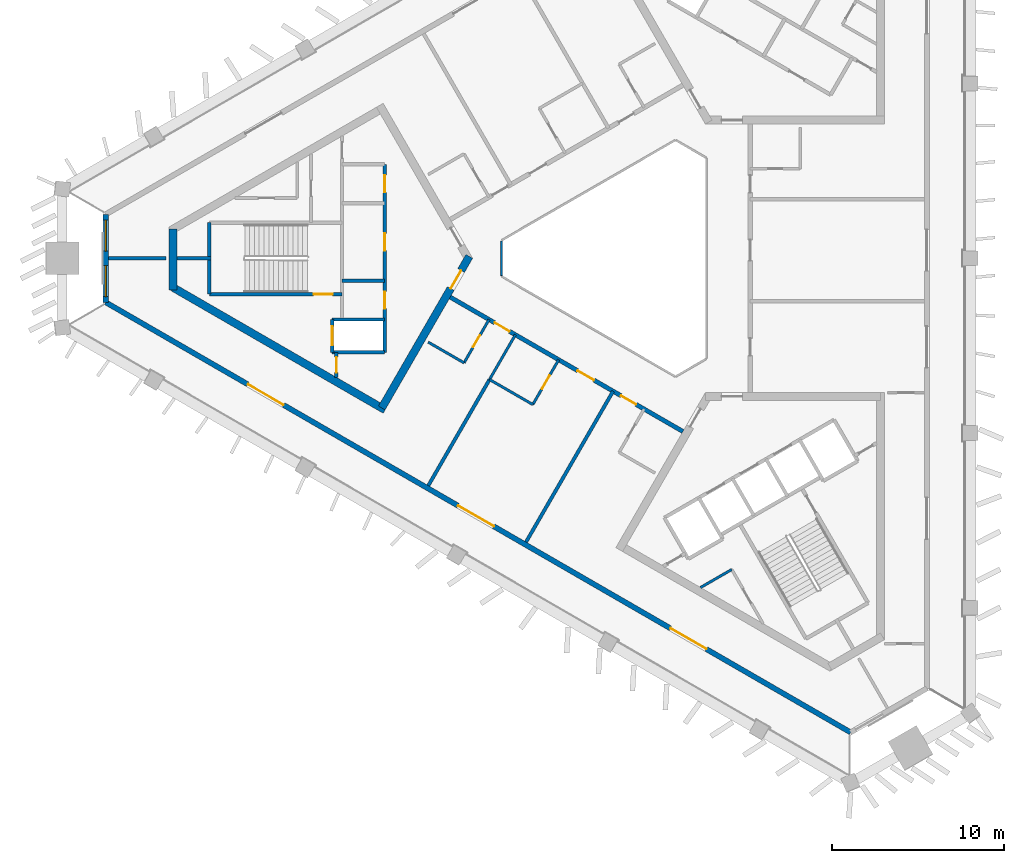
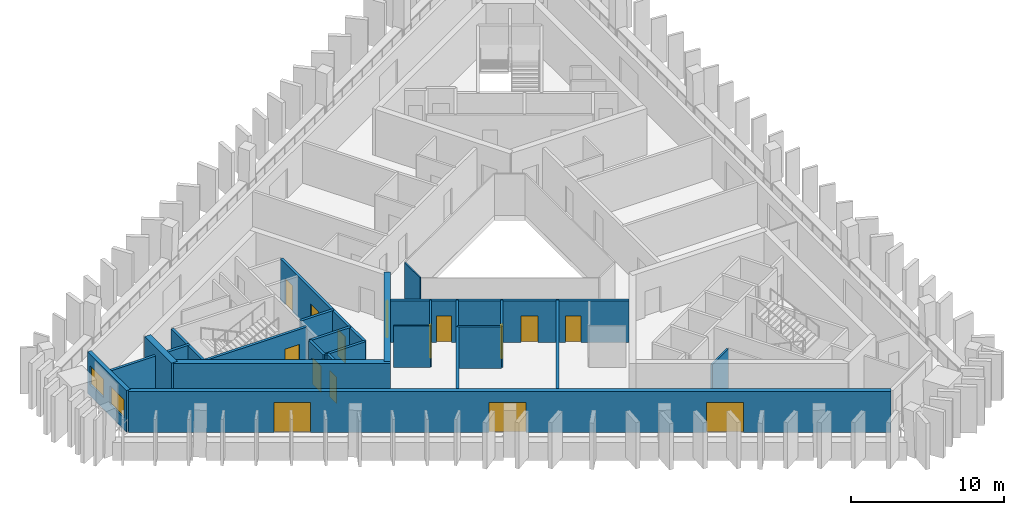
# One storey, part 2 of 9: 25 walls, 15 doors, 2 windows, 17 openings.
"""IFC4 building model written with IfcOpenShell, lengths in metres."""

from ifc_helpers import new_model, si_unit, direction, frame, frame_2d, origin, place, context, subcontext, project, spatial, rectangle, extrude, material, layer, layer_set, type_object, element, fill, save


model = new_model("IFC4")

# Units and contexts
model_context = context("Model", 3, precision=1e-05, world=origin(), true_north=direction((0.0, 1.0)))
body_context = subcontext(model_context, "Body", "Model", "MODEL_VIEW")
ifc_project = project(units=[si_unit("LENGTHUNIT", "METRE"), si_unit("AREAUNIT", "SQUARE_METRE"), si_unit("VOLUMEUNIT", "CUBIC_METRE"), si_unit("PLANEANGLEUNIT", "RADIAN"), si_unit("MASSUNIT", "GRAM", prefix="KILO")], contexts=[model_context])

# Site, building, storey
site_placement = place(None, origin())
site = spatial("IfcSite", under=ifc_project, at=site_placement, CompositionType="ELEMENT")
building_placement = place(site_placement, origin())
building = spatial("IfcBuilding", under=site, at=building_placement, Name="Jabali Bay Hotel Tower and Convention Centre", CompositionType="ELEMENT")
storey_placement = place(building_placement, frame((0.0, 0.0, 235.39990234375)))
storey = spatial("IfcBuildingStorey", under=building, at=storey_placement, Name="L58", CompositionType="ELEMENT", Elevation=235.39990234375)

# Walls
ifc_material_1 = material(Name="Fire-resistant glazing", Category="glass")
ifc_layer_1 = layer(ifc_material_1, 0.10009765625)
ifc_layer_set_1 = layer_set([ifc_layer_1], Name="Fire-resistant glazing")
wall_type_1 = type_object("IfcWallType", Name="Atrium glazed screen 100", PredefinedType="PARTITIONING", material=ifc_layer_set_1)
wall_1_placement = place(storey_placement, frame((67.672119140625, 81.0, 0.0), z_axis=(0.0, 0.0, 1.0), x_axis=(0.0, -1.0, 0.0)))
element("IfcWall", 1, at=wall_1_placement, inside=storey, type_object=wall_type_1, Name="Atrium screen 4 L58", PredefinedType="PARTITIONING", context=body_context, shape_type="SweptSolid", body=[
    extrude(rectangle(XDim=2.0, YDim=0.10009765625, at=frame_2d((1.0, 0.0))), origin(), (0.0, 0.0, 1.0), 3.300048828125),
])
ifc_material_2 = material(Name="Concrete C40", Category="concrete")
ifc_layer_2 = layer(ifc_material_2, 0.199951171875)
ifc_layer_set_2 = layer_set([ifc_layer_2], Name="Concrete C40")
wall_type_2 = type_object("IfcWallType", Name="Core partition wall 200", PredefinedType="PARTITIONING", material=ifc_layer_set_2)
wall_2_placement = place(storey_placement, frame((50.820068359375, 80.0, 0.0), z_axis=(0.0, 0.0, 1.0), x_axis=(-1.0, 0.0, 0.0)))
element("IfcWall", 2, at=wall_2_placement, inside=storey, type_object=wall_type_2, Name="Core wall 0.4 L58", PredefinedType="PARTITIONING", context=body_context, shape_type="SweptSolid", body=[
    extrude(rectangle(XDim=1.97314453125, YDim=0.199951171875, at=frame_2d((0.986572265625, 0.0))), origin(), (0.0, 0.0, 1.0), 3.300048828125),
])

# Wall, opening, door
wall_3_placement = place(storey_placement, frame((58.10009765625, 74.550048828125, 0.0), z_axis=(0.0, 0.0, 1.0), x_axis=(0.0, -1.0, 0.0)))
wall_3 = element("IfcWall", 3, at=wall_3_placement, inside=storey, type_object=wall_type_2, Name="Core wall 0.11 L58", PredefinedType="PARTITIONING", context=body_context, shape_type="SweptSolid", body=[
    extrude(rectangle(XDim=1.455078125, YDim=0.199951171875, at=frame_2d((0.7275390625, 0.0))), origin(), (0.0, 0.0, 1.0), 3.300048828125),
])
opening_1_placement = place(wall_3_placement, frame((0.277587890625, 0.0, 0.0)))
opening_1 = element("IfcOpeningElement", 4, at=opening_1_placement, cuts=wall_3, Name="Opening D1263", PredefinedType="OPENING", context=body_context, shape_type="SweptSolid", body=[
    extrude(rectangle(XDim=0.89990234375, YDim=2.10009765625, at=frame_2d((0.449951171875, 1.050048828125))), frame((0.0, 0.1103515625, 0.0), z_axis=(0.0, -1.0, 0.0), x_axis=(1.0, 0.0, 0.0)), (0.0, 0.0, 1.0), 0.220947265625),
])
ifc_material_3 = material(Name="Fire-rated steel door", Category="steel")
door_type_1 = type_object("IfcDoorType", Name="Vestibule fire door 900 x 2100", OperationType="NOTDEFINED", PredefinedType="NOTDEFINED", material=ifc_material_3)
door_1_placement = place(opening_1_placement, origin())
door_1 = element("IfcDoor", 5, at=door_1_placement, inside=storey, type_object=door_type_1, Name="Vestibule fire door D1263", OperationType="SINGLE_SWING_LEFT", OverallHeight=2.10009765625, OverallWidth=0.89990234375, PredefinedType="NOTDEFINED", context=body_context, shape_type="SweptSolid", body=[
    extrude(rectangle(XDim=0.89990234375, YDim=2.10009765625, at=frame_2d((0.449951171875, 1.050048828125))), frame((0.0, 0.02490234375, 0.0), z_axis=(0.0, -1.0, 0.0), x_axis=(1.0, 0.0, 0.0)), (0.0, 0.0, 1.0), 0.050048828125),
])
fill(opening_1, door_1)

# Walls
ifc_material_4 = material(Name="Fire-rated board partition")
ifc_layer_3 = layer(ifc_material_4, 0.14990234375)
ifc_layer_set_3 = layer_set([ifc_layer_3], Name="Fire-rated board partition")
wall_type_3 = type_object("IfcWallType", Name="Core room partition 150", PredefinedType="PARTITIONING", material=ifc_layer_set_3)
wall_4_placement = place(storey_placement, frame((79.219970703125, 60.9013671875, 0.0), z_axis=(0.0, 0.0, 1.0), x_axis=(0.866040030748, 0.499974664501, 0.0)))
element("IfcWall", 6, at=wall_4_placement, inside=storey, type_object=wall_type_3, Name="Core wall 2.16 L58", PredefinedType="PARTITIONING", context=body_context, shape_type="SweptSolid", body=[
    extrude(rectangle(XDim=2.0947265625, YDim=0.14990234375, at=frame_2d((1.04736328125, 0.0))), origin(), (0.0, 0.0, 1.0), 3.300048828125),
])
ifc_layer_4 = layer(ifc_material_2, 0.199951171875)
ifc_layer_set_4 = layer_set([ifc_layer_4], Name="Concrete C40")
wall_type_4 = type_object("IfcWallType", Name="Core stair wall 200", PredefinedType="SOLIDWALL", material=ifc_layer_set_4)
wall_5_placement = place(storey_placement, frame((60.89990234375, 78.699951171875, 0.0), z_axis=(0.0, 0.0, 1.0), x_axis=(-1.0, 0.0, 0.0)))
element("IfcWall", 7, at=wall_5_placement, inside=storey, type_object=wall_type_4, Name="Core wall 0.5 L58", PredefinedType="SOLIDWALL", context=body_context, shape_type="SweptSolid", body=[
    extrude(rectangle(XDim=2.47998046875, YDim=0.199951171875, at=frame_2d((1.239990234375, 0.0))), origin(), (0.0, 0.0, 1.0), 3.300048828125),
])

# Wall, opening, door
wall_6_placement = place(storey_placement, frame((58.419921875, 77.925048828125, 0.0), z_axis=(0.0, 0.0, 1.0), x_axis=(-1.0, 0.0, 0.0)))
wall_6 = element("IfcWall", 8, at=wall_6_placement, inside=storey, type_object=wall_type_4, Name="Core wall 0.6 L58", PredefinedType="SOLIDWALL", context=body_context, shape_type="SweptSolid", body=[
    extrude(rectangle(XDim=7.699951171875, YDim=0.199951171875, at=frame_2d((3.85009765625, 0.0))), origin(), (0.0, 0.0, 1.0), 3.300048828125),
])
opening_2_placement = place(wall_6_placement, frame((0.550048828125, 0.0, 0.0)))
opening_2 = element("IfcOpeningElement", 9, at=opening_2_placement, cuts=wall_6, Name="Opening D1265", PredefinedType="OPENING", context=body_context, shape_type="SweptSolid", body=[
    extrude(rectangle(XDim=1.10009765625, YDim=2.10009765625, at=frame_2d((0.550048828125, 1.050048828125))), frame((0.0, 0.1103515625, 0.0), z_axis=(0.0, -1.0, 0.0), x_axis=(1.0, 0.0, 0.0)), (0.0, 0.0, 1.0), 0.220947265625),
])
door_type_2 = type_object("IfcDoorType", Name="Stair fire door 1100 x 2100", OperationType="NOTDEFINED", PredefinedType="NOTDEFINED", material=ifc_material_3)
door_2_placement = place(opening_2_placement, origin())
door_2 = element("IfcDoor", 10, at=door_2_placement, inside=storey, type_object=door_type_2, Name="Stair fire door D1265", OperationType="SINGLE_SWING_RIGHT", OverallHeight=2.10009765625, OverallWidth=1.10009765625, PredefinedType="NOTDEFINED", context=body_context, shape_type="SweptSolid", body=[
    extrude(rectangle(XDim=1.10009765625, YDim=2.10009765625, at=frame_2d((0.550048828125, 1.050048828125))), frame((0.0, 0.02490234375, 0.0), z_axis=(0.0, -1.0, 0.0), x_axis=(1.0, 0.0, 0.0)), (0.0, 0.0, 1.0), 0.050048828125),
])
fill(opening_2, door_2)

# Walls
for number, where, z_axis, x_axis, name in (
    (11, (60.89990234375, 76.449951171875, 0.0), (0.0, 0.0, 1.0), (-1.0, 0.0, 0.0), "Core wall 0.7 L58"),
    (12, (60.89990234375, 74.550048828125, 0.0), (0.0, 0.0, 1.0), (-1.0, 0.0, 0.0), "Core wall 0.8 L58"),
):
    element("IfcWall", number, at=place(storey_placement, frame(where, z_axis=z_axis, x_axis=x_axis)), inside=storey, type_object=wall_type_4, Name=name, PredefinedType="SOLIDWALL", context=body_context, shape_type="SweptSolid", body=[
        extrude(rectangle(XDim=3.0498046875, YDim=0.199951171875, at=frame_2d((1.52490234375, 0.0))), origin(), (0.0, 0.0, 1.0), 3.300048828125),
    ])

# Wall, openings, doors
wall_7_placement = place(storey_placement, frame((60.89990234375, 85.449951171875, 0.0), z_axis=(0.0, 0.0, 1.0), x_axis=(0.0, -1.0, 0.0)))
wall_7 = element("IfcWall", 13, at=wall_7_placement, inside=storey, type_object=wall_type_4, Name="Core wall 0.9 L58", PredefinedType="SOLIDWALL", context=body_context, shape_type="SweptSolid", body=[
    extrude(rectangle(XDim=10.89990234375, YDim=0.199951171875, at=frame_2d((5.449951171875, 0.0))), origin(), (0.0, 0.0, 1.0), 3.300048828125),
])
opening_3_placement = place(wall_7_placement, frame((0.625, 0.0, 0.0)))
opening_3 = element("IfcOpeningElement", 14, at=opening_3_placement, cuts=wall_7, Name="Opening D1259", PredefinedType="OPENING", context=body_context, shape_type="SweptSolid", body=[
    extrude(rectangle(XDim=1.0, YDim=2.10009765625, at=frame_2d((0.5, 1.050048828125))), frame((0.0, 0.1103515625, 0.0), z_axis=(0.0, -1.0, 0.0), x_axis=(1.0, 0.0, 0.0)), (0.0, 0.0, 1.0), 0.220947265625),
])
opening_4_placement = place(wall_7_placement, frame((4.0, 0.0, 0.0)))
opening_4 = element("IfcOpeningElement", 15, at=opening_4_placement, cuts=wall_7, Name="Opening D1260", PredefinedType="OPENING", context=body_context, shape_type="SweptSolid", body=[
    extrude(rectangle(XDim=1.0, YDim=2.10009765625, at=frame_2d((0.5, 1.050048828125))), frame((0.0, 0.1103515625, 0.0), z_axis=(0.0, -1.0, 0.0), x_axis=(1.0, 0.0, 0.0)), (0.0, 0.0, 1.0), 0.220947265625),
])
opening_5_placement = place(wall_7_placement, frame((7.375, 0.0, 0.0)))
opening_5 = element("IfcOpeningElement", 16, at=opening_5_placement, cuts=wall_7, Name="Opening D1261", PredefinedType="OPENING", context=body_context, shape_type="SweptSolid", body=[
    extrude(rectangle(XDim=1.0, YDim=2.10009765625, at=frame_2d((0.5, 1.050048828125))), frame((0.0, 0.1103515625, 0.0), z_axis=(0.0, -1.0, 0.0), x_axis=(1.0, 0.0, 0.0)), (0.0, 0.0, 1.0), 0.220947265625),
])
door_type_3 = type_object("IfcDoorType", Name="Core room door 1000 x 2100", OperationType="NOTDEFINED", PredefinedType="NOTDEFINED", material=ifc_material_3)
door_3_placement = place(opening_3_placement, origin())
door_3 = element("IfcDoor", 17, at=door_3_placement, inside=storey, type_object=door_type_3, Name="Core room door D1259", OperationType="SINGLE_SWING_RIGHT", OverallHeight=2.10009765625, OverallWidth=1.0, PredefinedType="NOTDEFINED", context=body_context, shape_type="SweptSolid", body=[
    extrude(rectangle(XDim=1.0, YDim=2.10009765625, at=frame_2d((0.5, 1.050048828125))), frame((0.0, 0.02490234375, 0.0), z_axis=(0.0, -1.0, 0.0), x_axis=(1.0, 0.0, 0.0)), (0.0, 0.0, 1.0), 0.050048828125),
])
fill(opening_3, door_3)
door_4_placement = place(opening_4_placement, origin())
door_4 = element("IfcDoor", 18, at=door_4_placement, inside=storey, type_object=door_type_3, Name="Core room door D1260", OperationType="SINGLE_SWING_RIGHT", OverallHeight=2.10009765625, OverallWidth=1.0, PredefinedType="NOTDEFINED", context=body_context, shape_type="SweptSolid", body=[
    extrude(rectangle(XDim=1.0, YDim=2.10009765625, at=frame_2d((0.5, 1.050048828125))), frame((0.0, 0.02490234375, 0.0), z_axis=(0.0, -1.0, 0.0), x_axis=(1.0, 0.0, 0.0)), (0.0, 0.0, 1.0), 0.050048828125),
])
fill(opening_4, door_4)
door_5_placement = place(opening_5_placement, origin())
door_5 = element("IfcDoor", 19, at=door_5_placement, inside=storey, type_object=door_type_3, Name="Core room door D1261", OperationType="SINGLE_SWING_RIGHT", OverallHeight=2.10009765625, OverallWidth=1.0, PredefinedType="NOTDEFINED", context=body_context, shape_type="SweptSolid", body=[
    extrude(rectangle(XDim=1.0, YDim=2.10009765625, at=frame_2d((0.5, 1.050048828125))), frame((0.0, 0.02490234375, 0.0), z_axis=(0.0, -1.0, 0.0), x_axis=(1.0, 0.0, 0.0)), (0.0, 0.0, 1.0), 0.050048828125),
])
fill(opening_5, door_5)

# Wall, opening, door
wall_8_placement = place(storey_placement, frame((57.85009765625, 76.449951171875, 0.0), z_axis=(0.0, 0.0, 1.0), x_axis=(0.0, -1.0, 0.0)))
wall_8 = element("IfcWall", 20, at=wall_8_placement, inside=storey, type_object=wall_type_4, Name="Core wall 0.12 L58", PredefinedType="SOLIDWALL", context=body_context, shape_type="SweptSolid", body=[
    extrude(rectangle(XDim=1.89990234375, YDim=0.199951171875, at=frame_2d((0.949951171875, 0.0))), origin(), (0.0, 0.0, 1.0), 3.300048828125),
])
opening_6_placement = place(wall_8_placement, frame((0.39990234375, 0.0, 0.0)))
opening_6 = element("IfcOpeningElement", 21, at=opening_6_placement, cuts=wall_8, Name="Opening LD5-L58", PredefinedType="OPENING", context=body_context, shape_type="SweptSolid", body=[
    extrude(rectangle(XDim=1.10009765625, YDim=2.10009765625, at=frame_2d((0.550048828125, 1.050048828125))), frame((0.0, 0.1103515625, 0.0), z_axis=(0.0, -1.0, 0.0), x_axis=(1.0, 0.0, 0.0)), (0.0, 0.0, 1.0), 0.220947265625),
])
ifc_material_5 = material(Name="Stainless steel landing door", Category="steel")
door_type_4 = type_object("IfcDoorType", Name="Landing door 1100 x 2100", OperationType="NOTDEFINED", PredefinedType="NOTDEFINED", material=ifc_material_5)
door_6_placement = place(opening_6_placement, origin())
door_6 = element("IfcDoor", 22, at=door_6_placement, inside=storey, type_object=door_type_4, Name="Landing doors LD5-L58", OperationType="SLIDING_TO_RIGHT", OverallHeight=2.10009765625, OverallWidth=1.10009765625, PredefinedType="NOTDEFINED", context=body_context, shape_type="SweptSolid", body=[
    extrude(rectangle(XDim=1.10009765625, YDim=2.10009765625, at=frame_2d((0.550048828125, 1.050048828125))), frame((0.0, 0.02490234375, 0.0), z_axis=(0.0, -1.0, 0.0), x_axis=(1.0, 0.0, 0.0)), (0.0, 0.0, 1.0), 0.050048828125),
])
fill(opening_6, door_6)

# Walls
wall_9_placement = place(storey_placement, frame((50.719970703125, 82.074951171875, 0.0), z_axis=(0.0, 0.0, 1.0), x_axis=(0.0, -1.0, 0.0)))
element("IfcWall", 23, at=wall_9_placement, inside=storey, type_object=wall_type_4, Name="Core wall 0.15 L58", PredefinedType="SOLIDWALL", context=body_context, shape_type="SweptSolid", body=[
    extrude(rectangle(XDim=4.14990234375, YDim=0.199951171875, at=frame_2d((2.074951171875, 0.0))), origin(), (0.0, 0.0, 1.0), 3.300048828125),
])
ifc_material_6 = material(Name="Concrete C60", Category="concrete")
ifc_layer_5 = layer(ifc_material_6, 0.449951171875)
ifc_layer_set_5 = layer_set([ifc_layer_5], Name="Concrete C60")
wall_type_5 = type_object("IfcWallType", Name="Core wall 450", PredefinedType="SHEAR", material=ifc_layer_set_5)
wall_10_placement = place(storey_placement, frame((48.621826171875, 81.692626953125, 0.0), z_axis=(0.0, 0.0, 1.0), x_axis=(0.0, -1.0, 0.0)))
element("IfcWall", 24, at=wall_10_placement, inside=storey, type_object=wall_type_5, Name="Core wall 1.3 L58", PredefinedType="SHEAR", context=body_context, shape_type="SweptSolid", body=[
    extrude(rectangle(XDim=3.515380859375, YDim=0.449951171875, at=frame_2d((1.7578125, 0.0))), origin(), (0.0, 0.0, 1.0), 3.7001953125),
])
wall_11_placement = place(storey_placement, frame((48.621826171875, 78.307373046875, 0.0), z_axis=(0.0, 0.0, 1.0), x_axis=(0.86602701116, -0.499997215934, 0.0)))
element("IfcWall", 25, at=wall_11_placement, inside=storey, type_object=wall_type_5, Name="Core wall 1.4 L58", PredefinedType="SHEAR", context=body_context, shape_type="SweptSolid", body=[
    extrude(rectangle(XDim=14.20361328125, YDim=0.449951171875, at=frame_2d((7.101806640625, 0.0))), origin(), (0.0, 0.0, 1.0), 3.7001953125),
])

# Wall, opening, door
wall_12_placement = place(storey_placement, frame((60.7275390625, 71.318115234375, 0.0), z_axis=(0.0, 0.0, 1.0), x_axis=(0.500012416173, 0.866018235185, 0.0)))
wall_12 = element("IfcWall", 26, at=wall_12_placement, inside=storey, type_object=wall_type_5, Name="Core wall 1.5 L58", PredefinedType="SHEAR", context=body_context, shape_type="SweptSolid", body=[
    extrude(rectangle(XDim=10.155029296875, YDim=0.449951171875, at=frame_2d((5.07763671875, 0.0))), origin(), (0.0, 0.0, 1.0), 3.7001953125),
])
opening_7_placement = place(wall_12_placement, frame((8.0048828125, 0.0, 0.0)))
opening_7 = element("IfcOpeningElement", 27, at=opening_7_placement, cuts=wall_12, Name="Opening D1258", PredefinedType="OPENING", context=body_context, shape_type="SweptSolid", body=[
    extrude(rectangle(XDim=1.199951171875, YDim=2.10009765625, at=frame_2d((0.60009765625, 1.050048828125))), frame((0.0, 0.2353515625, 0.0), z_axis=(0.0, -1.0, 0.0), x_axis=(1.0, 0.0, 0.0)), (0.0, 0.0, 1.0), 0.470947265625),
])
door_type_5 = type_object("IfcDoorType", Name="Corridor end fire door 1200 x 2100", OperationType="NOTDEFINED", PredefinedType="NOTDEFINED", material=ifc_material_3)
door_7_placement = place(opening_7_placement, origin())
door_7 = element("IfcDoor", 28, at=door_7_placement, inside=storey, type_object=door_type_5, Name="Corridor end fire door D1258", OperationType="SINGLE_SWING_LEFT", OverallHeight=2.10009765625, OverallWidth=1.199951171875, PredefinedType="NOTDEFINED", context=body_context, shape_type="SweptSolid", body=[
    extrude(rectangle(XDim=1.199951171875, YDim=2.10009765625, at=frame_2d((0.60009765625, 1.050048828125))), frame((0.0, 0.02490234375, 0.0), z_axis=(0.0, -1.0, 0.0), x_axis=(1.0, 0.0, 0.0)), (0.0, 0.0, 1.0), 0.050048828125),
])
fill(opening_7, door_7)

# Wall, openings, doors
ifc_layer_6 = layer(ifc_material_6, 0.25)
ifc_layer_set_6 = layer_set([ifc_layer_6], Name="Concrete C60")
wall_type_6 = type_object("IfcWallType", Name="Corridor wall 250", PredefinedType="SHEAR", material=ifc_layer_set_6)
wall_13_placement = place(storey_placement, frame((64.699951171875, 77.748291015625, 0.0), z_axis=(0.0, 0.0, 1.0), x_axis=(0.866026492143, -0.499998114903, 0.0)))
wall_13 = element("IfcWall", 29, at=wall_13_placement, inside=storey, type_object=wall_type_6, Name="Corridor wall 3 L58", PredefinedType="SHEAR", context=body_context, shape_type="SweptSolid", body=[
    extrude(rectangle(XDim=15.58837890625, YDim=0.25, at=frame_2d((7.794189453125, 0.0))), origin(), (0.0, 0.0, 1.0), 3.300048828125),
])
opening_8_placement = place(wall_13_placement, frame((2.982421875, 0.0, 0.0)))
opening_8 = element("IfcOpeningElement", 30, at=opening_8_placement, cuts=wall_13, Name="Opening 5814", PredefinedType="OPENING", context=body_context, shape_type="SweptSolid", body=[
    extrude(rectangle(XDim=1.0, YDim=2.10009765625, at=frame_2d((0.5, 1.050048828125))), frame((0.0, 0.135498046875, 0.0), z_axis=(0.0, -1.0, 0.0), x_axis=(1.0, 0.0, 0.0)), (0.0, 0.0, 1.0), 0.27099609375),
])
opening_9_placement = place(wall_13_placement, frame((8.538330078125, 0.0, 0.0)))
opening_9 = element("IfcOpeningElement", 31, at=opening_9_placement, cuts=wall_13, Name="Opening 5816", PredefinedType="OPENING", context=body_context, shape_type="SweptSolid", body=[
    extrude(rectangle(XDim=1.10009765625, YDim=2.10009765625, at=frame_2d((0.550048828125, 1.050048828125))), frame((0.0, 0.135498046875, 0.0), z_axis=(0.0, -1.0, 0.0), x_axis=(1.0, 0.0, 0.0)), (0.0, 0.0, 1.0), 0.27099609375),
])
opening_10_placement = place(wall_13_placement, frame((11.4501953125, 0.0, 0.0)))
opening_10 = element("IfcOpeningElement", 32, at=opening_10_placement, cuts=wall_13, Name="Opening 5818", PredefinedType="OPENING", context=body_context, shape_type="SweptSolid", body=[
    extrude(rectangle(XDim=1.0, YDim=2.10009765625, at=frame_2d((0.5, 1.050048828125))), frame((0.0, 0.135498046875, 0.0), z_axis=(0.0, -1.0, 0.0), x_axis=(1.0, 0.0, 0.0)), (0.0, 0.0, 1.0), 0.27099609375),
])
ifc_material_7 = material(Name="Timber", Category="wood")
door_type_6 = type_object("IfcDoorType", Name="Accessible guest room door 1100 x 2100", OperationType="NOTDEFINED", PredefinedType="NOTDEFINED", material=ifc_material_7)
door_8_placement = place(opening_9_placement, origin())
door_8 = element("IfcDoor", 33, at=door_8_placement, inside=storey, type_object=door_type_6, Name="Door 5816", OperationType="SINGLE_SWING_RIGHT", OverallHeight=2.10009765625, OverallWidth=1.10009765625, PredefinedType="NOTDEFINED", context=body_context, shape_type="SweptSolid", body=[
    extrude(rectangle(XDim=1.10009765625, YDim=2.10009765625, at=frame_2d((0.550048828125, 1.050048828125))), frame((0.0, 0.02490234375, 0.0), z_axis=(0.0, -1.0, 0.0), x_axis=(1.0, 0.0, 0.0)), (0.0, 0.0, 1.0), 0.050048828125),
])
fill(opening_9, door_8)
door_type_7 = type_object("IfcDoorType", Name="Guest room door 1000 x 2100", OperationType="NOTDEFINED", PredefinedType="NOTDEFINED", material=ifc_material_7)
door_9_placement = place(opening_8_placement, origin())
door_9 = element("IfcDoor", 34, at=door_9_placement, inside=storey, type_object=door_type_7, Name="Door 5814", OperationType="SINGLE_SWING_LEFT", OverallHeight=2.10009765625, OverallWidth=1.0, PredefinedType="NOTDEFINED", context=body_context, shape_type="SweptSolid", body=[
    extrude(rectangle(XDim=1.0, YDim=2.10009765625, at=frame_2d((0.5, 1.050048828125))), frame((0.0, 0.02490234375, 0.0), z_axis=(0.0, -1.0, 0.0), x_axis=(1.0, 0.0, 0.0)), (0.0, 0.0, 1.0), 0.050048828125),
])
fill(opening_8, door_9)
door_10_placement = place(opening_10_placement, origin())
door_10 = element("IfcDoor", 35, at=door_10_placement, inside=storey, type_object=door_type_7, Name="Door 5818", OperationType="SINGLE_SWING_RIGHT", OverallHeight=2.10009765625, OverallWidth=1.0, PredefinedType="NOTDEFINED", context=body_context, shape_type="SweptSolid", body=[
    extrude(rectangle(XDim=1.0, YDim=2.10009765625, at=frame_2d((0.5, 1.050048828125))), frame((0.0, 0.02490234375, 0.0), z_axis=(0.0, -1.0, 0.0), x_axis=(1.0, 0.0, 0.0)), (0.0, 0.0, 1.0), 0.050048828125),
])
fill(opening_10, door_10)

# Wall, openings, windows
ifc_layer_7 = layer(ifc_material_2, 0.300048828125)
ifc_layer_set_7 = layer_set([ifc_layer_7], Name="Concrete C40")
wall_type_7 = type_object("IfcWallType", Name="External wall 300", PredefinedType="SOLIDWALL", material=ifc_layer_set_7)
wall_14_placement = place(storey_placement, frame((44.714599609375, 77.447509765625, 0.0), z_axis=(0.0, 0.0, 1.0), x_axis=(0.0, 1.0, 0.0)))
wall_14 = element("IfcWall", 36, at=wall_14_placement, inside=storey, type_object=wall_type_7, Name="External wall west chamfer L58", PredefinedType="SOLIDWALL", context=body_context, shape_type="SweptSolid", body=[
    extrude(rectangle(XDim=5.10498046875, YDim=0.300048828125, at=frame_2d((2.552490234375, 0.0))), origin(), (0.0, 0.0, 1.0), 3.300048828125),
])
opening_11_placement = place(wall_14_placement, frame((2.9716796875, 0.0, 0.89990234375)))
opening_11 = element("IfcOpeningElement", 37, at=opening_11_placement, cuts=wall_14, Name="Opening W1", PredefinedType="OPENING", context=body_context, shape_type="SweptSolid", body=[
    extrude(rectangle(XDim=1.800048828125, YDim=1.5, at=frame_2d((0.89990234375, 0.75))), frame((0.0, 0.16064453125, 0.0), z_axis=(0.0, -1.0, 0.0), x_axis=(1.0, 0.0, 0.0)), (0.0, 0.0, 1.0), 0.321044921875),
])
opening_12_placement = place(wall_14_placement, frame((0.33349609375, 0.0, 0.89990234375)))
opening_12 = element("IfcOpeningElement", 38, at=opening_12_placement, cuts=wall_14, Name="Opening W1", PredefinedType="OPENING", context=body_context, shape_type="SweptSolid", body=[
    extrude(rectangle(XDim=1.800048828125, YDim=1.5, at=frame_2d((0.89990234375, 0.75))), frame((0.0, 0.16064453125, 0.0), z_axis=(0.0, -1.0, 0.0), x_axis=(1.0, 0.0, 0.0)), (0.0, 0.0, 1.0), 0.321044921875),
])
ifc_material_8 = material(Name="Glass", Category="glass")
window_type = type_object("IfcWindowType", Name="Window 1800 x 1500", PartitioningType="SINGLE_PANEL", PredefinedType="WINDOW", material=ifc_material_8)
window_1_placement = place(opening_11_placement, origin())
window_1 = element("IfcWindow", 39, at=window_1_placement, inside=storey, type_object=window_type, Name="Window 5805", OverallHeight=1.5, OverallWidth=1.800048828125, PartitioningType="SINGLE_PANEL", PredefinedType="WINDOW", context=body_context, shape_type="SweptSolid", body=[
    extrude(rectangle(XDim=1.800048828125, YDim=1.5, at=frame_2d((0.89990234375, 0.75))), frame((0.0, 0.030029296875, 0.0), z_axis=(0.0, -1.0, 0.0), x_axis=(1.0, 0.0, 0.0)), (0.0, 0.0, 1.0), 0.06005859375),
])
fill(opening_11, window_1)
window_2_placement = place(opening_12_placement, origin())
window_2 = element("IfcWindow", 40, at=window_2_placement, inside=storey, type_object=window_type, Name="Window 5806", OverallHeight=1.5, OverallWidth=1.800048828125, PartitioningType="SINGLE_PANEL", PredefinedType="WINDOW", context=body_context, shape_type="SweptSolid", body=[
    extrude(rectangle(XDim=1.800048828125, YDim=1.5, at=frame_2d((0.89990234375, 0.75))), frame((0.0, 0.030029296875, 0.0), z_axis=(0.0, -1.0, 0.0), x_axis=(1.0, 0.0, 0.0)), (0.0, 0.0, 1.0), 0.06005859375),
])
fill(opening_12, window_2)

# Wall, openings, doors
wall_15_placement = place(storey_placement, frame((87.93212890625, 52.495849609375, 0.0), z_axis=(0.0, 0.0, 1.0), x_axis=(-0.866025334516, 0.500000119977, 0.0)))
wall_15 = element("IfcWall", 41, at=wall_15_placement, inside=storey, type_object=wall_type_7, Name="External wall south-west face L58", PredefinedType="SOLIDWALL", context=body_context, shape_type="SweptSolid", body=[
    extrude(rectangle(XDim=49.9033203125, YDim=0.300048828125, at=frame_2d((24.95166015625, 0.0))), origin(), (0.0, 0.0, 1.0), 3.300048828125),
])
opening_13_placement = place(wall_15_placement, frame((23.907470703125, 0.0, 0.0)))
opening_13 = element("IfcOpeningElement", 42, at=opening_13_placement, cuts=wall_15, Name="Opening SD1", PredefinedType="OPENING", context=body_context, shape_type="SweptSolid", body=[
    extrude(rectangle(XDim=2.39990234375, YDim=2.39990234375, at=frame_2d((1.199951171875, 1.199951171875))), frame((0.0, 0.16064453125, 0.0), z_axis=(0.0, -1.0, 0.0), x_axis=(1.0, 0.0, 0.0)), (0.0, 0.0, 1.0), 0.321044921875),
])
opening_14_placement = place(wall_15_placement, frame((37.9853515625, 0.0, 0.0)))
opening_14 = element("IfcOpeningElement", 43, at=opening_14_placement, cuts=wall_15, Name="Opening SD1", PredefinedType="OPENING", context=body_context, shape_type="SweptSolid", body=[
    extrude(rectangle(XDim=2.39990234375, YDim=2.39990234375, at=frame_2d((1.199951171875, 1.199951171875))), frame((0.0, 0.16064453125, 0.0), z_axis=(0.0, -1.0, 0.0), x_axis=(1.0, 0.0, 0.0)), (0.0, 0.0, 1.0), 0.321044921875),
])
opening_15_placement = place(wall_15_placement, frame((9.673583984375, 0.0, 0.0)))
opening_15 = element("IfcOpeningElement", 44, at=opening_15_placement, cuts=wall_15, Name="Opening SD1", PredefinedType="OPENING", context=body_context, shape_type="SweptSolid", body=[
    extrude(rectangle(XDim=2.39990234375, YDim=2.39990234375, at=frame_2d((1.199951171875, 1.199951171875))), frame((0.0, 0.16064453125, 0.0), z_axis=(0.0, -1.0, 0.0), x_axis=(1.0, 0.0, 0.0)), (0.0, 0.0, 1.0), 0.321044921875),
])
door_type_8 = type_object("IfcDoorType", Name="Loggia sliding door 2400 x 2400", OperationType="NOTDEFINED", PredefinedType="NOTDEFINED", material=ifc_material_8)
door_11_placement = place(opening_13_placement, origin())
door_11 = element("IfcDoor", 45, at=door_11_placement, inside=storey, type_object=door_type_8, Name="Loggia sliding door 5807", OperationType="SLIDING_TO_LEFT", OverallHeight=2.39990234375, OverallWidth=2.39990234375, PredefinedType="NOTDEFINED", context=body_context, shape_type="SweptSolid", body=[
    extrude(rectangle(XDim=2.39990234375, YDim=2.39990234375, at=frame_2d((1.199951171875, 1.199951171875))), frame((0.0, 0.02490234375, 0.0), z_axis=(0.0, -1.0, 0.0), x_axis=(1.0, 0.0, 0.0)), (0.0, 0.0, 1.0), 0.050048828125),
])
fill(opening_13, door_11)
door_12_placement = place(opening_14_placement, origin())
door_12 = element("IfcDoor", 46, at=door_12_placement, inside=storey, type_object=door_type_8, Name="Loggia sliding door 5806", OperationType="SLIDING_TO_RIGHT", OverallHeight=2.39990234375, OverallWidth=2.39990234375, PredefinedType="NOTDEFINED", context=body_context, shape_type="SweptSolid", body=[
    extrude(rectangle(XDim=2.39990234375, YDim=2.39990234375, at=frame_2d((1.199951171875, 1.199951171875))), frame((0.0, 0.02490234375, 0.0), z_axis=(0.0, -1.0, 0.0), x_axis=(1.0, 0.0, 0.0)), (0.0, 0.0, 1.0), 0.050048828125),
])
fill(opening_14, door_12)
door_13_placement = place(opening_15_placement, origin())
door_13 = element("IfcDoor", 47, at=door_13_placement, inside=storey, type_object=door_type_8, Name="Loggia sliding door 5808", OperationType="SLIDING_TO_LEFT", OverallHeight=2.39990234375, OverallWidth=2.39990234375, PredefinedType="NOTDEFINED", context=body_context, shape_type="SweptSolid", body=[
    extrude(rectangle(XDim=2.39990234375, YDim=2.39990234375, at=frame_2d((1.199951171875, 1.199951171875))), frame((0.0, 0.02490234375, 0.0), z_axis=(0.0, -1.0, 0.0), x_axis=(1.0, 0.0, 0.0)), (0.0, 0.0, 1.0), 0.050048828125),
])
fill(opening_15, door_13)

# Wall, opening, door
ifc_material_9 = material(Name="Plasterboard on steel stud", Category="steel")
ifc_layer_8 = layer(ifc_material_9, 0.14990234375)
ifc_layer_set_8 = layer_set([ifc_layer_8], Name="Plasterboard on steel stud")
wall_type_8 = type_object("IfcWallType", Name="Partition 150 wet", PredefinedType="PARTITIONING", material=ifc_layer_set_8)
wall_16_placement = place(storey_placement, frame((66.95166015625, 76.4482421875, 0.0), z_axis=(0.0, 0.0, 1.0), x_axis=(-0.499987231761, -0.866032775405, 0.0)))
wall_16 = element("IfcWall", 48, at=wall_16_placement, inside=storey, type_object=wall_type_8, Name="Partition P03 L58 018", PredefinedType="PARTITIONING", context=body_context, shape_type="SweptSolid", body=[
    extrude(rectangle(XDim=2.89990234375, YDim=0.14990234375, at=frame_2d((1.449951171875, 0.0))), origin(), (0.0, 0.0, 1.0), 3.300048828125),
])
opening_16_placement = place(wall_16_placement, frame((1.050048828125, 0.0, 0.0)))
opening_16 = element("IfcOpeningElement", 49, at=opening_16_placement, cuts=wall_16, Name="Opening 5813", PredefinedType="OPENING", context=body_context, shape_type="SweptSolid", body=[
    extrude(rectangle(XDim=0.800048828125, YDim=2.10009765625, at=frame_2d((0.39990234375, 1.050048828125))), frame((0.0, 0.08544921875, 0.0), z_axis=(0.0, -1.0, 0.0), x_axis=(1.0, 0.0, 0.0)), (0.0, 0.0, 1.0), 0.1708984375),
])
door_type_9 = type_object("IfcDoorType", Name="En-suite door 800 x 2100", OperationType="NOTDEFINED", PredefinedType="NOTDEFINED", material=ifc_material_7)
door_14_placement = place(opening_16_placement, origin())
door_14 = element("IfcDoor", 50, at=door_14_placement, inside=storey, type_object=door_type_9, Name="Door 5813", OperationType="SINGLE_SWING_RIGHT", OverallHeight=2.10009765625, OverallWidth=0.800048828125, PredefinedType="NOTDEFINED", context=body_context, shape_type="SweptSolid", body=[
    extrude(rectangle(XDim=0.800048828125, YDim=2.10009765625, at=frame_2d((0.39990234375, 1.050048828125))), frame((0.0, 0.02490234375, 0.0), z_axis=(0.0, -1.0, 0.0), x_axis=(1.0, 0.0, 0.0)), (0.0, 0.0, 1.0), 0.050048828125),
])
fill(opening_16, door_14)

# Walls
wall_17_placement = place(storey_placement, frame((65.501708984375, 73.936767578125, 0.0), z_axis=(0.0, 0.0, 1.0), x_axis=(-0.865994240961, 0.500053971709, 0.0)))
element("IfcWall", 51, at=wall_17_placement, inside=storey, type_object=wall_type_8, Name="Partition P03 L58 019", PredefinedType="PARTITIONING", context=body_context, shape_type="SweptSolid", body=[
    extrude(rectangle(XDim=2.401123046875, YDim=0.14990234375, at=frame_2d((1.20068359375, 0.0))), origin(), (0.0, 0.0, 1.0), 3.300048828125),
])
wall_18_placement = place(storey_placement, frame((66.97998046875, 72.9677734375, 0.0), z_axis=(0.0, 0.0, 1.0), x_axis=(0.499990139034, 0.866031096941, 0.0)))
element("IfcWall", 52, at=wall_18_placement, inside=storey, type_object=wall_type_8, Name="Partition P03 L58 021", PredefinedType="PARTITIONING", context=body_context, shape_type="SweptSolid", body=[
    extrude(rectangle(XDim=3.0, YDim=0.14990234375, at=frame_2d((1.5, 0.0))), origin(), (0.0, 0.0, 1.0), 3.300048828125),
])

# Wall, opening, door
wall_19_placement = place(storey_placement, frame((70.991455078125, 74.115966796875, 0.0), z_axis=(0.0, 0.0, 1.0), x_axis=(-0.499990139034, -0.866031096941, 0.0)))
wall_19 = element("IfcWall", 53, at=wall_19_placement, inside=storey, type_object=wall_type_8, Name="Partition P03 L58 022", PredefinedType="PARTITIONING", context=body_context, shape_type="SweptSolid", body=[
    extrude(rectangle(XDim=3.0, YDim=0.14990234375, at=frame_2d((1.5, 0.0))), origin(), (0.0, 0.0, 1.0), 3.300048828125),
])
opening_17_placement = place(wall_19_placement, frame((1.050048828125, 0.0, 0.0)))
opening_17 = element("IfcOpeningElement", 54, at=opening_17_placement, cuts=wall_19, Name="Opening 5815", PredefinedType="OPENING", context=body_context, shape_type="SweptSolid", body=[
    extrude(rectangle(XDim=0.89990234375, YDim=2.10009765625, at=frame_2d((0.449951171875, 1.050048828125))), frame((0.0, 0.08544921875, 0.0), z_axis=(0.0, -1.0, 0.0), x_axis=(1.0, 0.0, 0.0)), (0.0, 0.0, 1.0), 0.1708984375),
])
door_type_10 = type_object("IfcDoorType", Name="Accessible en-suite door 900 x 2100", OperationType="NOTDEFINED", PredefinedType="NOTDEFINED", material=ifc_material_7)
door_15_placement = place(opening_17_placement, origin())
door_15 = element("IfcDoor", 55, at=door_15_placement, inside=storey, type_object=door_type_10, Name="Door 5815", OperationType="SINGLE_SWING_RIGHT", OverallHeight=2.10009765625, OverallWidth=0.89990234375, PredefinedType="NOTDEFINED", context=body_context, shape_type="SweptSolid", body=[
    extrude(rectangle(XDim=0.89990234375, YDim=2.10009765625, at=frame_2d((0.449951171875, 1.050048828125))), frame((0.0, 0.02490234375, 0.0), z_axis=(0.0, -1.0, 0.0), x_axis=(1.0, 0.0, 0.0)), (0.0, 0.0, 1.0), 0.050048828125),
])
fill(opening_17, door_15)

# Walls
wall_20_placement = place(storey_placement, frame((69.491455078125, 71.517822265625, 0.0), z_axis=(0.0, 0.0, 1.0), x_axis=(-0.866032775405, 0.499987231761, 0.0)))
element("IfcWall", 56, at=wall_20_placement, inside=storey, type_object=wall_type_8, Name="Partition P03 L58 023", PredefinedType="PARTITIONING", context=body_context, shape_type="SweptSolid", body=[
    extrude(rectangle(XDim=2.89990234375, YDim=0.14990234375, at=frame_2d((1.449951171875, 0.0))), origin(), (0.0, 0.0, 1.0), 3.300048828125),
])
ifc_layer_9 = layer(ifc_material_9, 0.199951171875)
ifc_layer_set_9 = layer_set([ifc_layer_9], Name="Plasterboard on steel stud")
wall_type_9 = type_object("IfcWallType", Name="Partition 200 party", PredefinedType="PARTITIONING", material=ifc_layer_set_9)
wall_21_placement = place(storey_placement, frame((44.86376953125, 80.0009765625, 0.0), z_axis=(0.0, 0.0, 1.0), x_axis=(1.0, 0.0, 0.0)))
element("IfcWall", 57, at=wall_21_placement, inside=storey, type_object=wall_type_9, Name="Partition P01 L58 017", PredefinedType="PARTITIONING", context=body_context, shape_type="SweptSolid", body=[
    extrude(rectangle(XDim=3.334228515625, YDim=0.199951171875, at=frame_2d((1.6669921875, 0.0))), origin(), (0.0, 0.0, 1.0), 3.300048828125),
])
wall_22_placement = place(storey_placement, frame((63.427978515625, 66.8154296875, 0.0), z_axis=(0.0, 0.0, 1.0), x_axis=(0.499994154718, 0.866028778533, 0.0)))
element("IfcWall", 58, at=wall_22_placement, inside=storey, type_object=wall_type_9, Name="Partition P01 L58 020", PredefinedType="PARTITIONING", context=body_context, shape_type="SweptSolid", body=[
    extrude(rectangle(XDim=7.10400390625, YDim=0.199951171875, at=frame_2d((3.552001953125, 0.0))), origin(), (0.0, 0.0, 1.0), 3.300048828125),
])
wall_23_placement = place(storey_placement, frame((69.097900390625, 63.5419921875, 0.0), z_axis=(0.0, 0.0, 1.0), x_axis=(0.499992962407, 0.866029466902, 0.0)))
element("IfcWall", 59, at=wall_23_placement, inside=storey, type_object=wall_type_9, Name="Partition P01 L58 024", PredefinedType="PARTITIONING", context=body_context, shape_type="SweptSolid", body=[
    extrude(rectangle(XDim=10.104248046875, YDim=0.199951171875, at=frame_2d((5.05224609375, 0.0))), origin(), (0.0, 0.0, 1.0), 3.300048828125),
])

save(model, "model.ifc")
